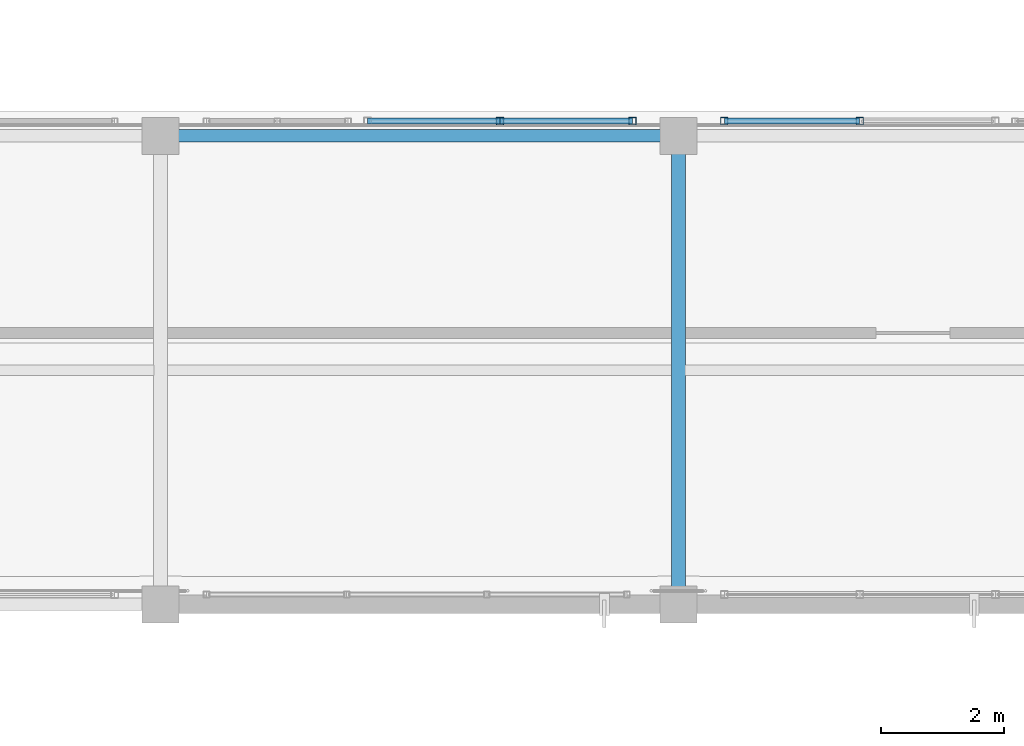
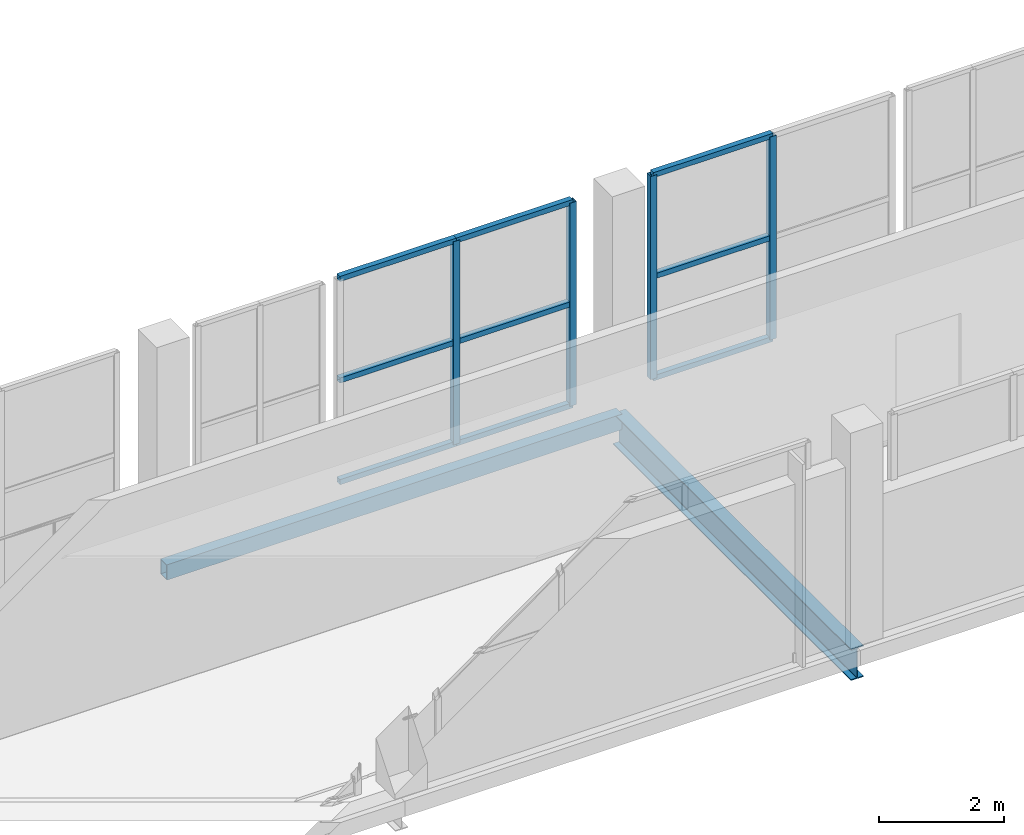
# One storey, part 46 of 151: 13 members, 2 beams, 2 elements without a shape of their own.
"""IFC4 building model written with IfcOpenShell, lengths in metres."""

from ifc_helpers import new_model, si_unit, direction, frame, origin, origin_2d, place, context, subcontext, project, spatial, hollow_rectangle, i_section, extrude, material, material_profile, profile_set, type_object, element, aggregate, save


model = new_model("IFC4")

# Units and contexts
model_context = context("Model", 3, precision=1e-05, world=origin(), true_north=direction((0.0, 1.0)))
body_context = subcontext(model_context, "Body", "Model", "MODEL_VIEW")
ifc_project = project(units=[si_unit("LENGTHUNIT", "METRE"), si_unit("AREAUNIT", "SQUARE_METRE"), si_unit("VOLUMEUNIT", "CUBIC_METRE"), si_unit("PLANEANGLEUNIT", "RADIAN"), si_unit("MASSUNIT", "GRAM", prefix="KILO")], contexts=[model_context])

# Site, building, storey
site_placement = place(None, origin())
site = spatial("IfcSite", under=ifc_project, at=site_placement, CompositionType="ELEMENT")
building_placement = place(site_placement, origin())
building = spatial("IfcBuilding", under=site, at=building_placement, Name="Zuvorla Pavilion Media Centre", CompositionType="ELEMENT")
storey_placement = place(building_placement, frame((0.0, 0.0, 13.800048828125)))
storey = spatial("IfcBuildingStorey", under=building, at=storey_placement, Name="L03", CompositionType="ELEMENT", Elevation=13.800048828125)

# Beams
ifc_material_1 = material(Name="Steel S355", Category="steel")
ifc_material_profile_1 = material_profile(ifc_material_1, hollow_rectangle(XDim=0.199951171875, YDim=0.300048828125, WallThickness=0.012451171875, at=origin_2d()), Name="RHS 300x200x12.5")
ifc_profile_set_1 = profile_set([ifc_material_profile_1], Name="Steel S355")
beam_type_1 = type_object("IfcBeamType", Name="BM-SP-RHS300", PredefinedType="SPANDREL", material=ifc_profile_set_1)
beam_1_placement = place(storey_placement, frame((108.800048828125, 51.60009765625, -0.407958984375), z_axis=(1.0, 0.0, 0.0), x_axis=(0.0, 1.0, 0.0)))
element("IfcBeam", 1, at=beam_1_placement, inside=storey, type_object=beam_type_1, Name="L03 spandrel SP01 1102", PredefinedType="SPANDREL", context=body_context, shape_type="SweptSolid", body=[
    extrude(hollow_rectangle(XDim=0.199951171875, YDim=0.300048828125, WallThickness=0.012451171875, at=origin_2d()), origin(), (0.0, 0.0, 1.0), 8.39990234375),
])
ifc_material_profile_2 = material_profile(ifc_material_1, i_section(OverallWidth=0.22900390625, OverallDepth=0.6123046875, WebThickness=0.011962890625, FlangeThickness=0.01953125, FilletRadius=0.0126953125, at=origin_2d()), Name="UB 610x229x125")
ifc_profile_set_2 = profile_set([ifc_material_profile_2], Name="Steel S355")
beam_type_2 = type_object("IfcBeamType", Name="BM-UB610", PredefinedType="BEAM", material=ifc_profile_set_2)
beam_2_placement = place(storey_placement, frame((117.199951171875, 44.0, -0.564208984375), z_axis=(0.0, 1.0, 0.0), x_axis=(-1.0, 0.0, 0.0)))
element("IfcBeam", 2, at=beam_2_placement, inside=storey, type_object=beam_type_2, Name="L03 beam B07 1212", PredefinedType="BEAM", context=body_context, shape_type="SweptSolid", body=[
    extrude(i_section(OverallWidth=0.22900390625, OverallDepth=0.6123046875, WebThickness=0.011962890625, FlangeThickness=0.01953125, FilletRadius=0.0126953125, at=origin_2d()), origin(), (0.0, 0.0, 1.0), 7.60009765625),
])

# Curtain wall, members
ifc_material_2 = material(Name="Unitised anodised aluminium and solar glass curtain wall", Category="aluminium")
curtain_wall_type_1 = type_object("IfcCurtainWallType", Name="CW-SYS-42", PredefinedType="USERDEFINED", material=ifc_material_2)
curtain_wall_1_placement = place(storey_placement, origin())
curtain_wall_1 = element("IfcCurtainWall", 3, at=curtain_wall_1_placement, inside=storey, type_object=curtain_wall_type_1, Name="L03 curtain wall CW42 174", ObjectType="CURTAIN WALL", PredefinedType="USERDEFINED")
ifc_material_3 = material(Name="Anodised aluminium 6063-T6", Category="aluminium")
ifc_material_profile_3 = material_profile(ifc_material_3, hollow_rectangle(XDim=0.1201171875, YDim=0.1201171875, WallThickness=0.0048828125, at=origin_2d()), Name="ALU MULL 120x120")
ifc_profile_set_3 = profile_set([ifc_material_profile_3], Name="Anodised aluminium 6063-T6")
member_type_1 = type_object("IfcMemberType", Name="CW-MULL-120", PredefinedType="MULLION", material=ifc_profile_set_3)
member_1_placement = place(storey_placement, frame((114.307861328125, 51.840087890625, 0.0), z_axis=(0.0, 0.0, 1.0), x_axis=(1.0, 0.0, 0.0)))
member_1 = element("IfcMember", 4, at=member_1_placement, type_object=member_type_1, Name="CW42 mullion 2", PredefinedType="MULLION", context=body_context, shape_type="SweptSolid", body=[
    extrude(hollow_rectangle(XDim=0.1201171875, YDim=0.1201171875, WallThickness=0.0048828125, at=origin_2d()), origin(), (0.0, 0.0, 1.0), 3.9599609375),
])
member_2_placement = place(storey_placement, frame((116.455810546875, 51.840087890625, 0.0), z_axis=(0.0, 0.0, 1.0), x_axis=(1.0, 0.0, 0.0)))
member_2 = element("IfcMember", 5, at=member_2_placement, type_object=member_type_1, Name="CW42 mullion 3", PredefinedType="MULLION", context=body_context, shape_type="SweptSolid", body=[
    extrude(hollow_rectangle(XDim=0.1201171875, YDim=0.1201171875, WallThickness=0.0048828125, at=origin_2d()), origin(), (0.0, 0.0, 1.0), 3.9599609375),
])

curtain_wall_type_2 = type_object("IfcCurtainWallType", Name="CW-SYS-79", PredefinedType="USERDEFINED", material=ifc_material_2)
curtain_wall_2_placement = place(storey_placement, origin())
curtain_wall_2 = element("IfcCurtainWall", 6, at=curtain_wall_2_placement, inside=storey, type_object=curtain_wall_type_2, Name="L03 curtain wall CW79 175", ObjectType="CURTAIN WALL", PredefinedType="USERDEFINED")
member_3_placement = place(storey_placement, frame((117.9443359375, 51.840087890625, 0.0), z_axis=(0.0, 0.0, 1.0), x_axis=(1.0, 0.0, 0.0)))
member_3 = element("IfcMember", 7, at=member_3_placement, type_object=member_type_1, Name="CW79 mullion 1", PredefinedType="MULLION", context=body_context, shape_type="SweptSolid", body=[
    extrude(hollow_rectangle(XDim=0.1201171875, YDim=0.1201171875, WallThickness=0.0048828125, at=origin_2d()), origin(), (0.0, 0.0, 1.0), 3.9599609375),
])
member_4_placement = place(storey_placement, frame((120.14208984375, 51.840087890625, 0.0), z_axis=(0.0, 0.0, 1.0), x_axis=(1.0, 0.0, 0.0)))
member_4 = element("IfcMember", 8, at=member_4_placement, type_object=member_type_1, Name="CW79 mullion 2", PredefinedType="MULLION", context=body_context, shape_type="SweptSolid", body=[
    extrude(hollow_rectangle(XDim=0.1201171875, YDim=0.1201171875, WallThickness=0.0048828125, at=origin_2d()), origin(), (0.0, 0.0, 1.0), 3.9599609375),
])

# Member
ifc_material_profile_4 = material_profile(ifc_material_3, hollow_rectangle(XDim=0.10009765625, YDim=0.10009765625, WallThickness=0.00439453125, at=origin_2d()), Name="ALU TRAN 100x100")
ifc_profile_set_4 = profile_set([ifc_material_profile_4], Name="Anodised aluminium 6063-T6")
member_type_2 = type_object("IfcMemberType", Name="CW-TRAN-100", PredefinedType="USERDEFINED", material=ifc_profile_set_4)
member_5_placement = place(storey_placement, frame((112.159912109375, 51.840087890625, 0.0), z_axis=(1.0, 0.0, 0.0), x_axis=(0.0, 1.0, 0.0)))
member_5 = element("IfcMember", 9, at=member_5_placement, type_object=member_type_2, Name="CW42 transom 1.1", ObjectType="TRANSOM", PredefinedType="USERDEFINED", context=body_context, shape_type="SweptSolid", body=[
    extrude(hollow_rectangle(XDim=0.10009765625, YDim=0.10009765625, WallThickness=0.00439453125, at=origin_2d()), origin(), (0.0, 0.0, 1.0), 2.14794921875),
])

member_6_placement = place(storey_placement, frame((112.159912109375, 51.840087890625, 1.97998046875), z_axis=(1.0, 0.0, 0.0), x_axis=(0.0, 1.0, 0.0)))
member_6 = element("IfcMember", 10, at=member_6_placement, type_object=member_type_2, Name="CW42 transom 1.2", ObjectType="TRANSOM", PredefinedType="USERDEFINED", context=body_context, shape_type="SweptSolid", body=[
    extrude(hollow_rectangle(XDim=0.10009765625, YDim=0.10009765625, WallThickness=0.00439453125, at=origin_2d()), origin(), (0.0, 0.0, 1.0), 2.14794921875),
])

member_7_placement = place(storey_placement, frame((112.159912109375, 51.840087890625, 3.9599609375), z_axis=(1.0, 0.0, 0.0), x_axis=(0.0, 1.0, 0.0)))
member_7 = element("IfcMember", 11, at=member_7_placement, type_object=member_type_2, Name="CW42 transom 1.3", ObjectType="TRANSOM", PredefinedType="USERDEFINED", context=body_context, shape_type="SweptSolid", body=[
    extrude(hollow_rectangle(XDim=0.10009765625, YDim=0.10009765625, WallThickness=0.00439453125, at=origin_2d()), origin(), (0.0, 0.0, 1.0), 2.14794921875),
])

member_8_placement = place(storey_placement, frame((114.307861328125, 51.840087890625, 0.0), z_axis=(1.0, 0.0, 0.0), x_axis=(0.0, 1.0, 0.0)))
member_8 = element("IfcMember", 12, at=member_8_placement, type_object=member_type_2, Name="CW42 transom 2.1", ObjectType="TRANSOM", PredefinedType="USERDEFINED", context=body_context, shape_type="SweptSolid", body=[
    extrude(hollow_rectangle(XDim=0.10009765625, YDim=0.10009765625, WallThickness=0.00439453125, at=origin_2d()), origin(), (0.0, 0.0, 1.0), 2.14794921875),
])

member_9_placement = place(storey_placement, frame((114.307861328125, 51.840087890625, 1.97998046875), z_axis=(1.0, 0.0, 0.0), x_axis=(0.0, 1.0, 0.0)))
member_9 = element("IfcMember", 13, at=member_9_placement, type_object=member_type_2, Name="CW42 transom 2.2", ObjectType="TRANSOM", PredefinedType="USERDEFINED", context=body_context, shape_type="SweptSolid", body=[
    extrude(hollow_rectangle(XDim=0.10009765625, YDim=0.10009765625, WallThickness=0.00439453125, at=origin_2d()), origin(), (0.0, 0.0, 1.0), 2.14794921875),
])

member_10_placement = place(storey_placement, frame((114.307861328125, 51.840087890625, 3.9599609375), z_axis=(1.0, 0.0, 0.0), x_axis=(0.0, 1.0, 0.0)))
member_10 = element("IfcMember", 14, at=member_10_placement, type_object=member_type_2, Name="CW42 transom 2.3", ObjectType="TRANSOM", PredefinedType="USERDEFINED", context=body_context, shape_type="SweptSolid", body=[
    extrude(hollow_rectangle(XDim=0.10009765625, YDim=0.10009765625, WallThickness=0.00439453125, at=origin_2d()), origin(), (0.0, 0.0, 1.0), 2.14794921875),
])

aggregate(curtain_wall_1, [member_1, member_2, member_5, member_6, member_7, member_8, member_9, member_10])

member_11_placement = place(storey_placement, frame((117.9443359375, 51.840087890625, 0.0), z_axis=(1.0, 0.0, 0.0), x_axis=(0.0, 1.0, 0.0)))
member_11 = element("IfcMember", 15, at=member_11_placement, type_object=member_type_2, Name="CW79 transom 1.1", ObjectType="TRANSOM", PredefinedType="USERDEFINED", context=body_context, shape_type="SweptSolid", body=[
    extrude(hollow_rectangle(XDim=0.10009765625, YDim=0.10009765625, WallThickness=0.00439453125, at=origin_2d()), origin(), (0.0, 0.0, 1.0), 2.19775390625),
])

member_12_placement = place(storey_placement, frame((117.9443359375, 51.840087890625, 1.97998046875), z_axis=(1.0, 0.0, 0.0), x_axis=(0.0, 1.0, 0.0)))
member_12 = element("IfcMember", 16, at=member_12_placement, type_object=member_type_2, Name="CW79 transom 1.2", ObjectType="TRANSOM", PredefinedType="USERDEFINED", context=body_context, shape_type="SweptSolid", body=[
    extrude(hollow_rectangle(XDim=0.10009765625, YDim=0.10009765625, WallThickness=0.00439453125, at=origin_2d()), origin(), (0.0, 0.0, 1.0), 2.19775390625),
])

member_13_placement = place(storey_placement, frame((117.9443359375, 51.840087890625, 3.9599609375), z_axis=(1.0, 0.0, 0.0), x_axis=(0.0, 1.0, 0.0)))
member_13 = element("IfcMember", 17, at=member_13_placement, type_object=member_type_2, Name="CW79 transom 1.3", ObjectType="TRANSOM", PredefinedType="USERDEFINED", context=body_context, shape_type="SweptSolid", body=[
    extrude(hollow_rectangle(XDim=0.10009765625, YDim=0.10009765625, WallThickness=0.00439453125, at=origin_2d()), origin(), (0.0, 0.0, 1.0), 2.19775390625),
])

aggregate(curtain_wall_2, [member_3, member_4, member_11, member_12, member_13])

save(model, "model.ifc")
